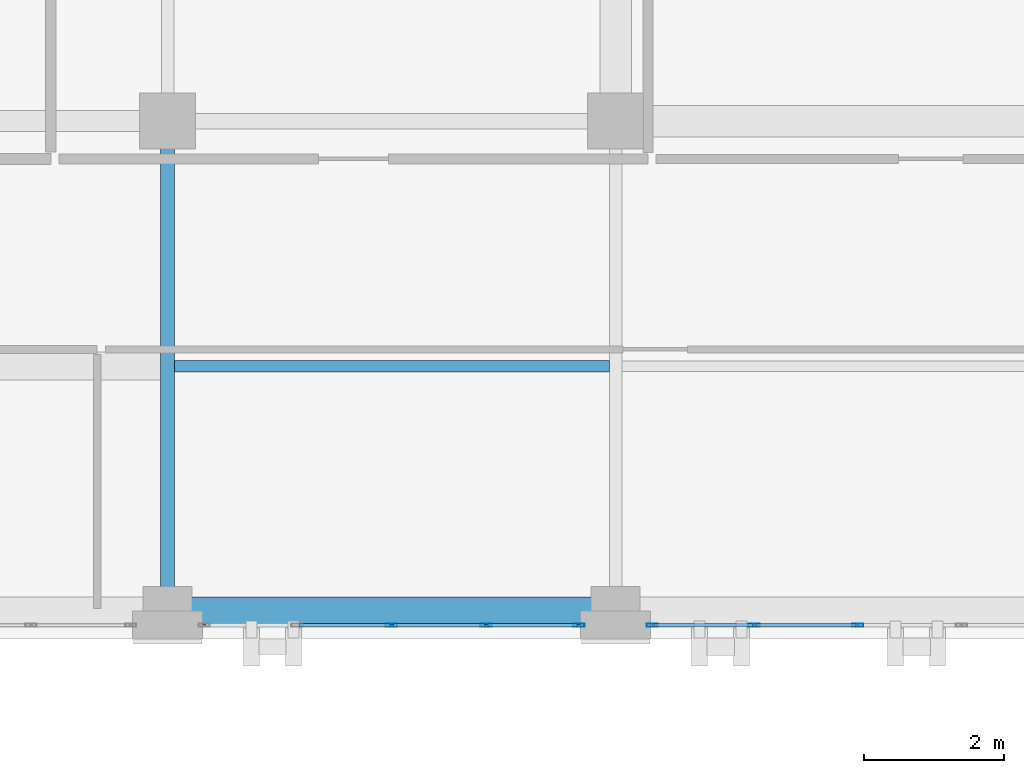
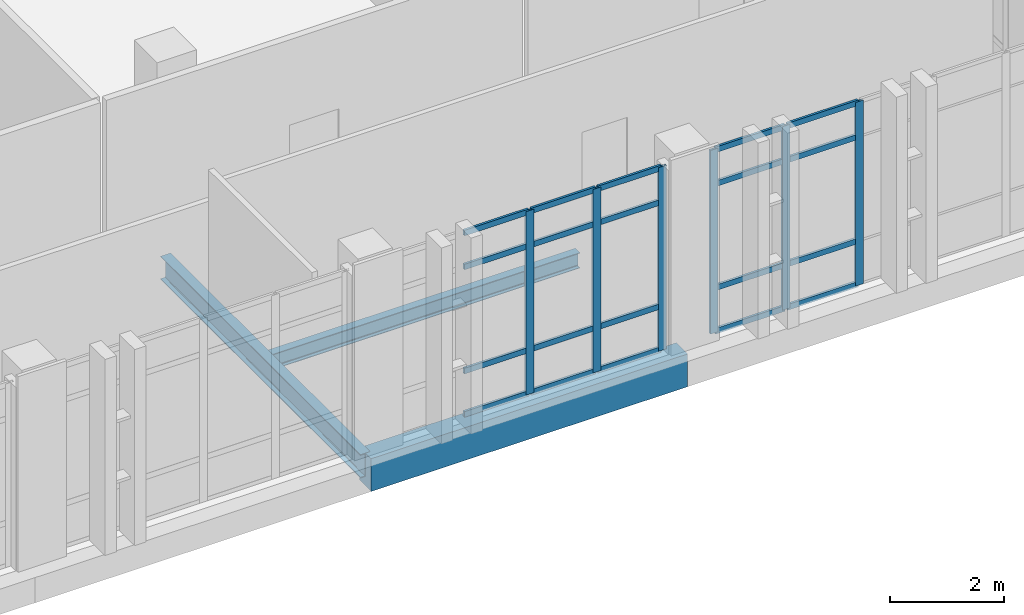
# One storey, part 83 of 158: 26 members, 3 beams, 2 elements without a shape of their own.
"""IFC4 building model written with IfcOpenShell, lengths in metres."""

from ifc_helpers import new_model, si_unit, direction, frame, origin, origin_2d, place, context, subcontext, project, spatial, rectangle, hollow_rectangle, i_section, extrude, material, layer, layer_set, material_profile, profile_set, type_object, element, aggregate, save


model = new_model("IFC4")

# Units and contexts
model_context = context("Model", 3, precision=1e-05, world=origin(), true_north=direction((0.0, 1.0)))
body_context = subcontext(model_context, "Body", "Model", "MODEL_VIEW")
ifc_project = project(units=[si_unit("LENGTHUNIT", "METRE"), si_unit("AREAUNIT", "SQUARE_METRE"), si_unit("VOLUMEUNIT", "CUBIC_METRE"), si_unit("PLANEANGLEUNIT", "RADIAN"), si_unit("MASSUNIT", "GRAM", prefix="KILO")], contexts=[model_context])

# Site, building, storey
site_placement = place(None, origin())
site = spatial("IfcSite", under=ifc_project, at=site_placement, CompositionType="ELEMENT")
building_placement = place(site_placement, origin())
building = spatial("IfcBuilding", under=site, at=building_placement, Name="Qalavern Law Courts", CompositionType="ELEMENT")
storey_placement = place(building_placement, frame((0.0, 0.0, 18.60009765625)))
storey = spatial("IfcBuildingStorey", under=building, at=storey_placement, Name="L04", CompositionType="ELEMENT", Elevation=18.60009765625)

# Curtain wall, members
ifc_material_1 = material(Name="Anodised aluminium and insulated glazing", Category="aluminium")
ifc_layer = layer(ifc_material_1, 0.166015625)
ifc_layer_set = layer_set([ifc_layer], Name="Anodised aluminium and insulated glazing")
curtain_wall_type = type_object("IfcCurtainWallType", Name="ENV-CW-LIB", PredefinedType="USERDEFINED", material=ifc_layer_set)
curtain_wall_1_placement = place(storey_placement, origin())
curtain_wall_1 = element("IfcCurtainWall", 1, at=curtain_wall_1_placement, inside=storey, type_object=curtain_wall_type, Name="V5 unitised curtain wall L04 south 5", ObjectType="UNITISED CURTAIN WALL", PredefinedType="USERDEFINED")
ifc_material_2 = material(Name="Anodised aluminium", Category="aluminium")
ifc_material_profile_1 = material_profile(ifc_material_2, hollow_rectangle(XDim=0.048095703125, YDim=0.159912109375, WallThickness=0.00390625, at=origin_2d()), Name="ALU MULLION 48x160")
ifc_profile_set_1 = profile_set([ifc_material_profile_1], Name="Anodised aluminium")
member_type_1 = type_object("IfcMemberType", Name="ENV-CWM-48x160", PredefinedType="MULLION", material=ifc_profile_set_1)
member_1_placement = place(storey_placement, frame((54.800048828125, 96.39990234375, 0.0), z_axis=(0.0, 0.0, 1.0), x_axis=(0.0, 1.0, 0.0)))
member_1 = element("IfcMember", 2, at=member_1_placement, type_object=member_type_1, Name="CW-05 mullion 3", PredefinedType="MULLION", context=body_context, shape_type="SweptSolid", body=[
    extrude(hollow_rectangle(XDim=0.048095703125, YDim=0.159912109375, WallThickness=0.00390625, at=origin_2d()), origin(), (0.0, 0.0, 1.0), 3.9248046875),
])
member_2_placement = place(storey_placement, frame((56.14990234375, 96.39990234375, 0.0), z_axis=(0.0, 0.0, 1.0), x_axis=(0.0, 1.0, 0.0)))
member_2 = element("IfcMember", 3, at=member_2_placement, type_object=member_type_1, Name="CW-05 mullion 4", PredefinedType="MULLION", context=body_context, shape_type="SweptSolid", body=[
    extrude(hollow_rectangle(XDim=0.048095703125, YDim=0.159912109375, WallThickness=0.00390625, at=origin_2d()), origin(), (0.0, 0.0, 1.0), 3.9248046875),
])
member_3_placement = place(storey_placement, frame((57.47607421875, 96.39990234375, 0.0), z_axis=(0.0, 0.0, 1.0), x_axis=(0.0, 1.0, 0.0)))
member_3 = element("IfcMember", 4, at=member_3_placement, type_object=member_type_1, Name="CW-05 mullion 5", PredefinedType="MULLION", context=body_context, shape_type="SweptSolid", body=[
    extrude(hollow_rectangle(XDim=0.048095703125, YDim=0.159912109375, WallThickness=0.00390625, at=origin_2d()), origin(), (0.0, 0.0, 1.0), 3.9248046875),
])

curtain_wall_2_placement = place(storey_placement, origin())
curtain_wall_2 = element("IfcCurtainWall", 5, at=curtain_wall_2_placement, inside=storey, type_object=curtain_wall_type, Name="V5 unitised curtain wall L04 south 6", ObjectType="UNITISED CURTAIN WALL", PredefinedType="USERDEFINED")
member_4_placement = place(storey_placement, frame((58.52392578125, 96.39990234375, 0.0), z_axis=(0.0, 0.0, 1.0), x_axis=(0.0, 1.0, 0.0)))
member_4 = element("IfcMember", 6, at=member_4_placement, type_object=member_type_1, Name="CW-05 mullion 1", PredefinedType="MULLION", context=body_context, shape_type="SweptSolid", body=[
    extrude(hollow_rectangle(XDim=0.048095703125, YDim=0.159912109375, WallThickness=0.00390625, at=origin_2d()), origin(), (0.0, 0.0, 1.0), 3.9248046875),
])
member_5_placement = place(storey_placement, frame((59.97998046875, 96.39990234375, 0.0), z_axis=(0.0, 0.0, 1.0), x_axis=(0.0, 1.0, 0.0)))
member_5 = element("IfcMember", 7, at=member_5_placement, type_object=member_type_1, Name="CW-05 mullion 2", PredefinedType="MULLION", context=body_context, shape_type="SweptSolid", body=[
    extrude(hollow_rectangle(XDim=0.048095703125, YDim=0.159912109375, WallThickness=0.00390625, at=origin_2d()), origin(), (0.0, 0.0, 1.0), 3.9248046875),
])
member_6_placement = place(storey_placement, frame((61.4599609375, 96.39990234375, 0.0), z_axis=(0.0, 0.0, 1.0), x_axis=(0.0, 1.0, 0.0)))
member_6 = element("IfcMember", 8, at=member_6_placement, type_object=member_type_1, Name="CW-05 mullion 3", PredefinedType="MULLION", context=body_context, shape_type="SweptSolid", body=[
    extrude(hollow_rectangle(XDim=0.048095703125, YDim=0.159912109375, WallThickness=0.00390625, at=origin_2d()), origin(), (0.0, 0.0, 1.0), 3.9248046875),
])

# Member
ifc_material_profile_2 = material_profile(ifc_material_2, hollow_rectangle(XDim=0.048095703125, YDim=0.1201171875, WallThickness=0.00390625, at=origin_2d()), Name="ALU TRANSOM 48x120")
ifc_profile_set_2 = profile_set([ifc_material_profile_2], Name="Anodised aluminium")
member_type_2 = type_object("IfcMemberType", Name="ENV-CWT-48x120", PredefinedType="USERDEFINED", material=ifc_profile_set_2)
member_7_placement = place(storey_placement, frame((53.47412109375, 96.39990234375, 0.02392578125), z_axis=(1.0, 0.0, 0.0), x_axis=(0.0, 1.0, 0.0)))
member_7 = element("IfcMember", 9, at=member_7_placement, type_object=member_type_2, Name="CW-05 transom 2.1", ObjectType="TRANSOM", PredefinedType="USERDEFINED", context=body_context, shape_type="SweptSolid", body=[
    extrude(hollow_rectangle(XDim=0.048095703125, YDim=0.1201171875, WallThickness=0.00390625, at=origin_2d()), origin(), (0.0, 0.0, 1.0), 1.3017578125),
])

member_8_placement = place(storey_placement, frame((53.47412109375, 96.39990234375, 0.949951171875), z_axis=(1.0, 0.0, 0.0), x_axis=(0.0, 1.0, 0.0)))
member_8 = element("IfcMember", 10, at=member_8_placement, type_object=member_type_2, Name="CW-05 transom 2.2", ObjectType="TRANSOM", PredefinedType="USERDEFINED", context=body_context, shape_type="SweptSolid", body=[
    extrude(hollow_rectangle(XDim=0.048095703125, YDim=0.1201171875, WallThickness=0.00390625, at=origin_2d()), origin(), (0.0, 0.0, 1.0), 1.3017578125),
])

member_9_placement = place(storey_placement, frame((53.47412109375, 96.39990234375, 3.1748046875), z_axis=(1.0, 0.0, 0.0), x_axis=(0.0, 1.0, 0.0)))
member_9 = element("IfcMember", 11, at=member_9_placement, type_object=member_type_2, Name="CW-05 transom 2.3", ObjectType="TRANSOM", PredefinedType="USERDEFINED", context=body_context, shape_type="SweptSolid", body=[
    extrude(hollow_rectangle(XDim=0.048095703125, YDim=0.1201171875, WallThickness=0.00390625, at=origin_2d()), origin(), (0.0, 0.0, 1.0), 1.3017578125),
])

member_10_placement = place(storey_placement, frame((53.47412109375, 96.39990234375, 3.90087890625), z_axis=(1.0, 0.0, 0.0), x_axis=(0.0, 1.0, 0.0)))
member_10 = element("IfcMember", 12, at=member_10_placement, type_object=member_type_2, Name="CW-05 transom 2.4", ObjectType="TRANSOM", PredefinedType="USERDEFINED", context=body_context, shape_type="SweptSolid", body=[
    extrude(hollow_rectangle(XDim=0.048095703125, YDim=0.1201171875, WallThickness=0.00390625, at=origin_2d()), origin(), (0.0, 0.0, 1.0), 1.3017578125),
])

member_11_placement = place(storey_placement, frame((54.823974609375, 96.39990234375, 0.02392578125), z_axis=(1.0, 0.0, 0.0), x_axis=(0.0, 1.0, 0.0)))
member_11 = element("IfcMember", 13, at=member_11_placement, type_object=member_type_2, Name="CW-05 transom 3.1", ObjectType="TRANSOM", PredefinedType="USERDEFINED", context=body_context, shape_type="SweptSolid", body=[
    extrude(hollow_rectangle(XDim=0.048095703125, YDim=0.1201171875, WallThickness=0.00390625, at=origin_2d()), origin(), (0.0, 0.0, 1.0), 1.302001953125),
])

member_12_placement = place(storey_placement, frame((54.823974609375, 96.39990234375, 0.949951171875), z_axis=(1.0, 0.0, 0.0), x_axis=(0.0, 1.0, 0.0)))
member_12 = element("IfcMember", 14, at=member_12_placement, type_object=member_type_2, Name="CW-05 transom 3.2", ObjectType="TRANSOM", PredefinedType="USERDEFINED", context=body_context, shape_type="SweptSolid", body=[
    extrude(hollow_rectangle(XDim=0.048095703125, YDim=0.1201171875, WallThickness=0.00390625, at=origin_2d()), origin(), (0.0, 0.0, 1.0), 1.302001953125),
])

member_13_placement = place(storey_placement, frame((54.823974609375, 96.39990234375, 3.1748046875), z_axis=(1.0, 0.0, 0.0), x_axis=(0.0, 1.0, 0.0)))
member_13 = element("IfcMember", 15, at=member_13_placement, type_object=member_type_2, Name="CW-05 transom 3.3", ObjectType="TRANSOM", PredefinedType="USERDEFINED", context=body_context, shape_type="SweptSolid", body=[
    extrude(hollow_rectangle(XDim=0.048095703125, YDim=0.1201171875, WallThickness=0.00390625, at=origin_2d()), origin(), (0.0, 0.0, 1.0), 1.302001953125),
])

member_14_placement = place(storey_placement, frame((54.823974609375, 96.39990234375, 3.90087890625), z_axis=(1.0, 0.0, 0.0), x_axis=(0.0, 1.0, 0.0)))
member_14 = element("IfcMember", 16, at=member_14_placement, type_object=member_type_2, Name="CW-05 transom 3.4", ObjectType="TRANSOM", PredefinedType="USERDEFINED", context=body_context, shape_type="SweptSolid", body=[
    extrude(hollow_rectangle(XDim=0.048095703125, YDim=0.1201171875, WallThickness=0.00390625, at=origin_2d()), origin(), (0.0, 0.0, 1.0), 1.302001953125),
])

member_15_placement = place(storey_placement, frame((56.174072265625, 96.39990234375, 0.02392578125), z_axis=(1.0, 0.0, 0.0), x_axis=(0.0, 1.0, 0.0)))
member_15 = element("IfcMember", 17, at=member_15_placement, type_object=member_type_2, Name="CW-05 transom 4.1", ObjectType="TRANSOM", PredefinedType="USERDEFINED", context=body_context, shape_type="SweptSolid", body=[
    extrude(hollow_rectangle(XDim=0.048095703125, YDim=0.1201171875, WallThickness=0.00390625, at=origin_2d()), origin(), (0.0, 0.0, 1.0), 1.27783203125),
])

member_16_placement = place(storey_placement, frame((56.174072265625, 96.39990234375, 0.949951171875), z_axis=(1.0, 0.0, 0.0), x_axis=(0.0, 1.0, 0.0)))
member_16 = element("IfcMember", 18, at=member_16_placement, type_object=member_type_2, Name="CW-05 transom 4.2", ObjectType="TRANSOM", PredefinedType="USERDEFINED", context=body_context, shape_type="SweptSolid", body=[
    extrude(hollow_rectangle(XDim=0.048095703125, YDim=0.1201171875, WallThickness=0.00390625, at=origin_2d()), origin(), (0.0, 0.0, 1.0), 1.27783203125),
])

member_17_placement = place(storey_placement, frame((56.174072265625, 96.39990234375, 3.1748046875), z_axis=(1.0, 0.0, 0.0), x_axis=(0.0, 1.0, 0.0)))
member_17 = element("IfcMember", 19, at=member_17_placement, type_object=member_type_2, Name="CW-05 transom 4.3", ObjectType="TRANSOM", PredefinedType="USERDEFINED", context=body_context, shape_type="SweptSolid", body=[
    extrude(hollow_rectangle(XDim=0.048095703125, YDim=0.1201171875, WallThickness=0.00390625, at=origin_2d()), origin(), (0.0, 0.0, 1.0), 1.27783203125),
])

member_18_placement = place(storey_placement, frame((56.174072265625, 96.39990234375, 3.90087890625), z_axis=(1.0, 0.0, 0.0), x_axis=(0.0, 1.0, 0.0)))
member_18 = element("IfcMember", 20, at=member_18_placement, type_object=member_type_2, Name="CW-05 transom 4.4", ObjectType="TRANSOM", PredefinedType="USERDEFINED", context=body_context, shape_type="SweptSolid", body=[
    extrude(hollow_rectangle(XDim=0.048095703125, YDim=0.1201171875, WallThickness=0.00390625, at=origin_2d()), origin(), (0.0, 0.0, 1.0), 1.27783203125),
])

aggregate(curtain_wall_1, [member_1, member_2, member_3, member_7, member_8, member_9, member_10, member_11, member_12, member_13, member_14, member_15, member_16, member_17, member_18])

member_19_placement = place(storey_placement, frame((58.548095703125, 96.39990234375, 0.02392578125), z_axis=(1.0, 0.0, 0.0), x_axis=(0.0, 1.0, 0.0)))
member_19 = element("IfcMember", 21, at=member_19_placement, type_object=member_type_2, Name="CW-05 transom 1.1", ObjectType="TRANSOM", PredefinedType="USERDEFINED", context=body_context, shape_type="SweptSolid", body=[
    extrude(hollow_rectangle(XDim=0.048095703125, YDim=0.1201171875, WallThickness=0.00390625, at=origin_2d()), origin(), (0.0, 0.0, 1.0), 1.407958984375),
])

member_20_placement = place(storey_placement, frame((58.548095703125, 96.39990234375, 0.949951171875), z_axis=(1.0, 0.0, 0.0), x_axis=(0.0, 1.0, 0.0)))
member_20 = element("IfcMember", 22, at=member_20_placement, type_object=member_type_2, Name="CW-05 transom 1.2", ObjectType="TRANSOM", PredefinedType="USERDEFINED", context=body_context, shape_type="SweptSolid", body=[
    extrude(hollow_rectangle(XDim=0.048095703125, YDim=0.1201171875, WallThickness=0.00390625, at=origin_2d()), origin(), (0.0, 0.0, 1.0), 1.407958984375),
])

member_21_placement = place(storey_placement, frame((58.548095703125, 96.39990234375, 3.1748046875), z_axis=(1.0, 0.0, 0.0), x_axis=(0.0, 1.0, 0.0)))
member_21 = element("IfcMember", 23, at=member_21_placement, type_object=member_type_2, Name="CW-05 transom 1.3", ObjectType="TRANSOM", PredefinedType="USERDEFINED", context=body_context, shape_type="SweptSolid", body=[
    extrude(hollow_rectangle(XDim=0.048095703125, YDim=0.1201171875, WallThickness=0.00390625, at=origin_2d()), origin(), (0.0, 0.0, 1.0), 1.407958984375),
])

member_22_placement = place(storey_placement, frame((58.548095703125, 96.39990234375, 3.90087890625), z_axis=(1.0, 0.0, 0.0), x_axis=(0.0, 1.0, 0.0)))
member_22 = element("IfcMember", 24, at=member_22_placement, type_object=member_type_2, Name="CW-05 transom 1.4", ObjectType="TRANSOM", PredefinedType="USERDEFINED", context=body_context, shape_type="SweptSolid", body=[
    extrude(hollow_rectangle(XDim=0.048095703125, YDim=0.1201171875, WallThickness=0.00390625, at=origin_2d()), origin(), (0.0, 0.0, 1.0), 1.407958984375),
])

member_23_placement = place(storey_placement, frame((60.00390625, 96.39990234375, 0.02392578125), z_axis=(1.0, 0.0, 0.0), x_axis=(0.0, 1.0, 0.0)))
member_23 = element("IfcMember", 25, at=member_23_placement, type_object=member_type_2, Name="CW-05 transom 2.1", ObjectType="TRANSOM", PredefinedType="USERDEFINED", context=body_context, shape_type="SweptSolid", body=[
    extrude(hollow_rectangle(XDim=0.048095703125, YDim=0.1201171875, WallThickness=0.00390625, at=origin_2d()), origin(), (0.0, 0.0, 1.0), 1.43212890625),
])

member_24_placement = place(storey_placement, frame((60.00390625, 96.39990234375, 0.949951171875), z_axis=(1.0, 0.0, 0.0), x_axis=(0.0, 1.0, 0.0)))
member_24 = element("IfcMember", 26, at=member_24_placement, type_object=member_type_2, Name="CW-05 transom 2.2", ObjectType="TRANSOM", PredefinedType="USERDEFINED", context=body_context, shape_type="SweptSolid", body=[
    extrude(hollow_rectangle(XDim=0.048095703125, YDim=0.1201171875, WallThickness=0.00390625, at=origin_2d()), origin(), (0.0, 0.0, 1.0), 1.43212890625),
])

member_25_placement = place(storey_placement, frame((60.00390625, 96.39990234375, 3.1748046875), z_axis=(1.0, 0.0, 0.0), x_axis=(0.0, 1.0, 0.0)))
member_25 = element("IfcMember", 27, at=member_25_placement, type_object=member_type_2, Name="CW-05 transom 2.3", ObjectType="TRANSOM", PredefinedType="USERDEFINED", context=body_context, shape_type="SweptSolid", body=[
    extrude(hollow_rectangle(XDim=0.048095703125, YDim=0.1201171875, WallThickness=0.00390625, at=origin_2d()), origin(), (0.0, 0.0, 1.0), 1.43212890625),
])

member_26_placement = place(storey_placement, frame((60.00390625, 96.39990234375, 3.90087890625), z_axis=(1.0, 0.0, 0.0), x_axis=(0.0, 1.0, 0.0)))
member_26 = element("IfcMember", 28, at=member_26_placement, type_object=member_type_2, Name="CW-05 transom 2.4", ObjectType="TRANSOM", PredefinedType="USERDEFINED", context=body_context, shape_type="SweptSolid", body=[
    extrude(hollow_rectangle(XDim=0.048095703125, YDim=0.1201171875, WallThickness=0.00390625, at=origin_2d()), origin(), (0.0, 0.0, 1.0), 1.43212890625),
])

aggregate(curtain_wall_2, [member_4, member_5, member_6, member_19, member_20, member_21, member_22, member_23, member_24, member_25, member_26])

# Beams
ifc_material_3 = material(Name="Steel S355", Category="steel")
ifc_material_profile_3 = material_profile(ifc_material_3, i_section(OverallWidth=0.199951171875, OverallDepth=0.5, WebThickness=0.01025390625, FlangeThickness=0.01611328125, FilletRadius=0.02099609375, at=origin_2d()), Name="IPE 500")
ifc_profile_set_3 = profile_set([ifc_material_profile_3], Name="Steel S355")
beam_type_1 = type_object("IfcBeamType", Name="STR-BM-IPE500", PredefinedType="BEAM", material=ifc_profile_set_3)
beam_1_placement = place(storey_placement, frame((51.60009765625, 96.60009765625, -0.530029296875), z_axis=(0.0, 1.0, 0.0), x_axis=(-1.0, 0.0, 0.0)))
element("IfcBeam", 29, at=beam_1_placement, inside=storey, type_object=beam_type_1, Name="V5 Y-beam 7-1 L04", PredefinedType="BEAM", context=body_context, shape_type="SweptSolid", body=[
    extrude(i_section(OverallWidth=0.199951171875, OverallDepth=0.5, WebThickness=0.01025390625, FlangeThickness=0.01611328125, FilletRadius=0.02099609375, at=origin_2d()), origin(), (0.0, 0.0, 1.0), 7.0),
])
ifc_material_profile_4 = material_profile(ifc_material_3, i_section(OverallWidth=0.159912109375, OverallDepth=0.330078125, WebThickness=0.007568359375, FlangeThickness=0.011474609375, FilletRadius=0.01806640625, at=origin_2d()), Name="IPE 330")
ifc_profile_set_4 = profile_set([ifc_material_profile_4], Name="Steel S355")
beam_type_2 = type_object("IfcBeamType", Name="STR-JST-IPE330", PredefinedType="JOIST", material=ifc_profile_set_4)
beam_2_placement = place(storey_placement, frame((51.697998046875, 100.10009765625, -0.445068359375), z_axis=(1.0, 0.0, 0.0), x_axis=(0.0, 1.0, 0.0)))
element("IfcBeam", 30, at=beam_2_placement, inside=storey, type_object=beam_type_2, Name="V5 secondary joist 7.1.1 L04", PredefinedType="JOIST", context=body_context, shape_type="SweptSolid", body=[
    extrude(i_section(OverallWidth=0.159912109375, OverallDepth=0.330078125, WebThickness=0.007568359375, FlangeThickness=0.011474609375, FilletRadius=0.01806640625, at=origin_2d()), origin(), (0.0, 0.0, 1.0), 6.214111328125),
])
ifc_material_4 = material(Name="Concrete C40/50", Category="concrete")
ifc_material_profile_5 = material_profile(ifc_material_4, rectangle(XDim=0.39990234375, YDim=0.699951171875, at=origin_2d()), Name="RC 400x700")
ifc_profile_set_5 = profile_set([ifc_material_profile_5], Name="Concrete C40/50")
beam_type_3 = type_object("IfcBeamType", Name="STR-SP-RC400x700", PredefinedType="SPANDREL", material=ifc_profile_set_5)
beam_3_placement = place(storey_placement, frame((51.60009765625, 96.60009765625, -0.630126953125), z_axis=(1.0, 0.0, 0.0), x_axis=(0.0, 1.0, 0.0)))
element("IfcBeam", 31, at=beam_3_placement, inside=storey, type_object=beam_type_3, Name="V5 X-beam 1-7 L04", PredefinedType="SPANDREL", context=body_context, shape_type="SweptSolid", body=[
    extrude(rectangle(XDim=0.39990234375, YDim=0.699951171875, at=origin_2d()), origin(), (0.0, 0.0, 1.0), 6.39990234375),
])

save(model, "model.ifc")
